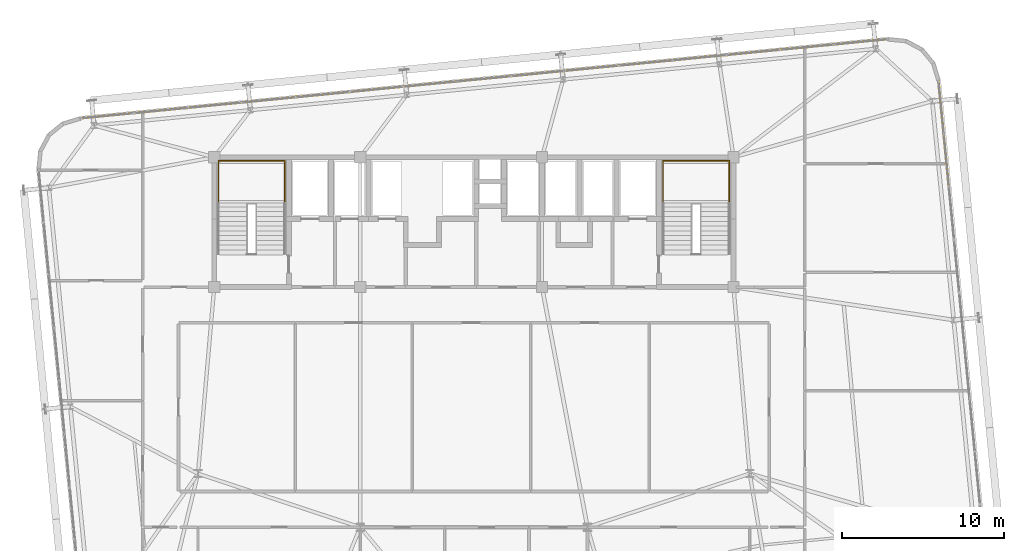
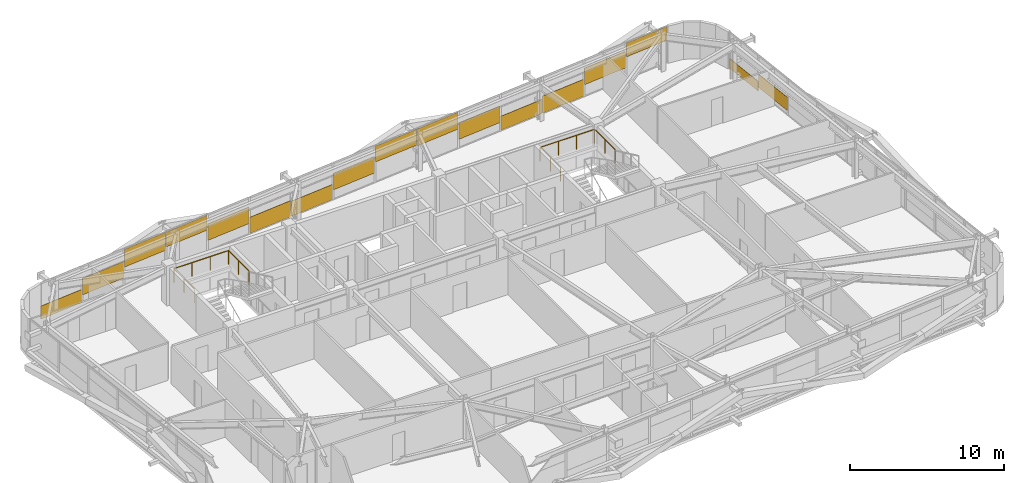
# One storey, part 52 of 52: 17 coverings, 2 railings.
"""IFC4 building model written with IfcOpenShell, lengths in metres."""

import ifcopenshell
import ifcopenshell.guid

model = None  # the IFC model being written
_history = None  # IfcOwnerHistory: only IFC2X3 demands one
_inside = {}  # id of a spatial element -> (the spatial element, [elements in it])
_under = {}  # id of a project, library or spatial element -> (it, [spatial elements below it])
_declared = {}  # id of a project -> (the project, [libraries it declares])
_typed = {}  # id of a type object -> (the type object, [elements of that type])
_made_of = {}  # id of a material, layer set ... -> (it, [elements and type objects made of it])


def new_model(schema):
    """Start an empty IFC model of exactly this schema.

    Asked for "IFC4X3", IfcOpenShell would pick the latest addendum, in which some entities
    have other attributes; the version numbers below select the first issue.
    IFC2X3 requires an IfcOwnerHistory on every rooted entity: one is made here for all.
    """
    global model, _history
    if schema == "IFC4X3":
        model = ifcopenshell.file(schema_version=(4, 3, 0, 0))
    else:
        model = ifcopenshell.file(schema=schema)
    _inside.clear()
    _under.clear()
    _declared.clear()
    _typed.clear()
    _made_of.clear()
    _history = None
    if model.schema == "IFC2X3":
        org = make("IfcOrganization", Name="unknown")
        user = make(
            "IfcPersonAndOrganization",
            ThePerson=make("IfcPerson", FamilyName="unknown"),
            TheOrganization=org,
        )
        app = make(
            "IfcApplication",
            ApplicationDeveloper=org,
            Version="unknown",
            ApplicationFullName="unknown",
            ApplicationIdentifier="unknown",
        )
        _history = make(
            "IfcOwnerHistory",
            OwningUser=user,
            OwningApplication=app,
            ChangeAction="ADDED",
            CreationDate=0,
        )
    return model


def make(cls, **values):
    """One entity of the class cls with the attributes given. An attribute that is None is left unset."""
    return model.create_entity(
        cls, **{name: value for name, value in values.items() if value is not None}
    )


def rooted(cls, **values):
    """An entity with a GlobalId (a new one), such as an element, a storey or a relation."""
    return make(cls, GlobalId=ifcopenshell.guid.new(), OwnerHistory=_history, **values)


def si_unit(unit_type, name, prefix=None):
    """IfcSIUnit, for example si_unit("LENGTHUNIT", "METRE", prefix="MILLI")."""
    return make("IfcSIUnit", UnitType=unit_type, Prefix=prefix, Name=name)


def assignment(units):
    """IfcUnitAssignment: the units of a project."""
    return None if units is None else make("IfcUnitAssignment", Units=units)


def point(xyz):
    """IfcCartesianPoint."""
    return None if xyz is None else make("IfcCartesianPoint", Coordinates=xyz)


def direction(xyz):
    """IfcDirection."""
    return None if xyz is None else make("IfcDirection", DirectionRatios=xyz)


def frame(location, z_axis=None, x_axis=None):
    """IfcAxis2Placement3D, a coordinate frame: its origin and axes. An axis left out is left unset."""
    return make(
        "IfcAxis2Placement3D",
        Location=point(location),
        Axis=direction(z_axis),
        RefDirection=direction(x_axis),
    )


def frame_2d(location, x_axis=None):
    """IfcAxis2Placement2D, a coordinate frame in the plane: its origin and x axis."""
    return make(
        "IfcAxis2Placement2D", Location=point(location), RefDirection=direction(x_axis)
    )


def origin():
    """The frame at (0, 0, 0) with its axes left unset."""
    return frame((0.0, 0.0, 0.0))


def origin_2d():
    """The frame at (0, 0) in the plane with its x axis left unset."""
    return frame_2d((0.0, 0.0))


def place(relative_to, where):
    """IfcLocalPlacement: puts the frame where relative to a parent placement (None: the world)."""
    return make(
        "IfcLocalPlacement", PlacementRelTo=relative_to, RelativePlacement=where
    )


def context(
    kind, dimensions, precision=None, world=None, true_north=None, identifier=None
):
    """IfcGeometricRepresentationContext, for example the 3D "Model" context."""
    return make(
        "IfcGeometricRepresentationContext",
        ContextIdentifier=identifier,
        ContextType=kind,
        CoordinateSpaceDimension=dimensions,
        Precision=precision,
        WorldCoordinateSystem=world,
        TrueNorth=true_north,
    )


def subcontext(parent, identifier, kind, view, scale=None):
    """IfcGeometricRepresentationSubContext, for example "Body" below "Model"."""
    return make(
        "IfcGeometricRepresentationSubContext",
        ContextIdentifier=identifier,
        ContextType=kind,
        ParentContext=parent,
        TargetScale=scale,
        TargetView=view,
    )


def project(units=None, contexts=None):
    """IfcProject with its units and contexts."""
    return rooted(
        "IfcProject",
        Name="project",
        RepresentationContexts=contexts,
        UnitsInContext=assignment(units),
    )


def spatial(cls, under=None, at=None, **own):
    """A site, building, storey or space (cls), placed at a placement, below another one or the project."""
    s = rooted(cls, ObjectPlacement=at, **own)
    if under is not None:
        _under.setdefault(under.id(), (under, []))[1].append(s)
    return s


def profile(cls, at=None, kind="AREA", **sizes):
    """A parametric profile (cls). Its sizes go by their IFC names, for example OverallWidth=200.0."""
    return make(cls, ProfileType=kind, Position=at, **sizes)


def rectangle(**sizes):
    """IfcRectangleProfileDef."""
    return profile("IfcRectangleProfileDef", **sizes)


def extrude(swept, where, along, depth):
    """IfcExtrudedAreaSolid: the profile swept, set in the frame where, extruded along a direction by depth."""
    return make(
        "IfcExtrudedAreaSolid",
        SweptArea=swept,
        Position=where,
        ExtrudedDirection=direction(along),
        Depth=depth,
    )


def shape(context_of_items, identifier, shape_type, items):
    """IfcShapeRepresentation: the items that make up one representation, for example the "Body"."""
    return make(
        "IfcShapeRepresentation",
        ContextOfItems=context_of_items,
        RepresentationIdentifier=identifier,
        RepresentationType=shape_type,
        Items=items,
    )


def source(mapping_origin, context_of_items, identifier, shape_type, items):
    """IfcRepresentationMap: a shape defined once, which mapped items show again and again."""
    return make(
        "IfcRepresentationMap",
        MappingOrigin=mapping_origin,
        MappedRepresentation=shape(context_of_items, identifier, shape_type, items),
    )


def transform(
    local_origin,
    x_axis=None,
    y_axis=None,
    z_axis=None,
    scale=None,
    scale2=None,
    scale3=None,
    uniform=True,
):
    """IfcCartesianTransformationOperator3D, or its non-uniform kind. x_axis, y_axis, z_axis: its Axis1, 2, 3."""
    if uniform:
        return make(
            "IfcCartesianTransformationOperator3D",
            Axis1=direction(x_axis),
            Axis2=direction(y_axis),
            LocalOrigin=point(local_origin),
            Scale=scale,
            Axis3=direction(z_axis),
        )
    return make(
        "IfcCartesianTransformationOperator3DnonUniform",
        Axis1=direction(x_axis),
        Axis2=direction(y_axis),
        LocalOrigin=point(local_origin),
        Scale=scale,
        Axis3=direction(z_axis),
        Scale2=scale2,
        Scale3=scale3,
    )


def mapped(mapping_source, mapping_target):
    """IfcMappedItem: shows the shape of a source again, moved by a transform."""
    return make(
        "IfcMappedItem", MappingSource=mapping_source, MappingTarget=mapping_target
    )


def material(Name=None, Category=None):
    """IfcMaterial."""
    return make("IfcMaterial", Name=Name, Category=Category)


def layer(
    of_material, thickness, ventilated=None, Name=None, Category=None, Priority=None
):
    """IfcMaterialLayer: one layer of a wall or slab, of a material (None: an air gap)."""
    return make(
        "IfcMaterialLayer",
        Material=of_material,
        LayerThickness=thickness,
        IsVentilated=ventilated,
        Name=Name,
        Category=Category,
        Priority=Priority,
    )


def layer_set(layers, Name=None):
    """IfcMaterialLayerSet."""
    return make("IfcMaterialLayerSet", MaterialLayers=layers, LayerSetName=Name)


def made_of(thing, what):
    """Note that an element or type object is made of a material, layer set ...; save() writes the relation."""
    if what is not None:
        _made_of.setdefault(what.id(), (what, []))[1].append(thing)
    return thing


def type_object(cls, material=None, **own):
    """A type object (cls), such as IfcWallType, which elements share."""
    return made_of(rooted(cls, **own), material)


def element(
    cls,
    number,
    at=None,
    inside=None,
    cuts=None,
    type_object=None,
    material=None,
    context=None,
    identifier="Body",
    shape_type=None,
    held_by="IfcProductDefinitionShape",
    body=None,
    shapes=None,
    **own,
):
    """One element of the class cls, such as IfcWall. Its Tag is "e" and its number.

    at: its placement. inside: the storey or other place that contains it. cuts: it is an
    opening in that element (IfcRelVoidsElement). A single representation is given by context,
    identifier, shape_type and body (its items); several are given by shapes. held_by: the class
    of the entity that holds the representations. save() writes the other relations.
    """
    e = rooted(cls, Tag="e%d" % number, ObjectPlacement=at, **own)
    if body is not None:
        shapes = [shape(context, identifier, shape_type, body)]
    if shapes is not None:
        e.Representation = make(held_by, Representations=shapes)
    if inside is not None:
        _inside.setdefault(inside.id(), (inside, []))[1].append(e)
    if cuts is not None:
        rooted(
            "IfcRelVoidsElement", RelatingBuildingElement=cuts, RelatedOpeningElement=e
        )
    if type_object is not None:
        _typed.setdefault(type_object.id(), (type_object, []))[1].append(e)
    return made_of(e, material)


def aggregate(whole, parts):
    """IfcRelAggregates: a whole, such as a stair, and the parts it consists of."""
    return rooted("IfcRelAggregates", RelatingObject=whole, RelatedObjects=parts)


def save(model, path):
    """Write the relations noted so far, then the file.

    IfcRelAggregates (storeys below a building ...), IfcRelContainedInSpatialStructure (elements
    in a storey), IfcRelDefinesByType, IfcRelAssociatesMaterial and IfcRelDeclares: one each for
    every whole, place, type object, material and project.
    """
    for whole, parts in _under.values():
        aggregate(whole, parts)
    for where, things in _inside.values():
        rooted(
            "IfcRelContainedInSpatialStructure",
            RelatedElements=things,
            RelatingStructure=where,
        )
    for kind, things in _typed.values():
        rooted("IfcRelDefinesByType", RelatedObjects=things, RelatingType=kind)
    for what, things in _made_of.values():
        rooted("IfcRelAssociatesMaterial", RelatedObjects=things, RelatingMaterial=what)
    for by, libraries in _declared.values():
        rooted("IfcRelDeclares", RelatingContext=by, RelatedDefinitions=libraries)
    model.write(path)


model = new_model("IFC4")

# Units and contexts
model_context = context("Model", 3, precision=1e-05, world=origin(), true_north=direction((0.0, 1.0)))
body_context = subcontext(model_context, "Body", "Model", "MODEL_VIEW")
ifc_project = project(units=[si_unit("LENGTHUNIT", "METRE"), si_unit("AREAUNIT", "SQUARE_METRE"), si_unit("VOLUMEUNIT", "CUBIC_METRE"), si_unit("PLANEANGLEUNIT", "RADIAN"), si_unit("MASSUNIT", "GRAM", prefix="KILO")], contexts=[model_context])

# Site, building, storey
site_placement = place(None, origin())
site = spatial("IfcSite", under=ifc_project, at=site_placement, CompositionType="ELEMENT")
building_placement = place(site_placement, origin())
building = spatial("IfcBuilding", under=site, at=building_placement, Name="Taldren Reach Tower", CompositionType="ELEMENT")
storey_placement = place(building_placement, frame((0.0, 0.0, 93.449951171875)))
storey = spatial("IfcBuildingStorey", under=building, at=storey_placement, Name="L28", CompositionType="ELEMENT", Elevation=93.449951171875)

# Railings
ifc_material_1 = material(Name="Steel Gr 350 (C350L0)", Category="steel")
ifc_layer_1 = layer(ifc_material_1, 0.050048828125)
ifc_layer_set_1 = layer_set([ifc_layer_1], Name="Steel Gr 350 (C350L0)")
railing_type = type_object("IfcRailingType", Name="RL-STAIR-GR", PredefinedType="GUARDRAIL", material=ifc_layer_set_1)
for number, where, name in (
    (1, (19.260009765625, 29.135009765625, 1.574951171875), "Stair half-landing perimeter guard ST1-L28"),
    (2, (46.659912109375, 29.135009765625, 1.574951171875), "Stair half-landing perimeter guard ST2-L28"),
):
    element("IfcRailing", number, at=place(storey_placement, frame(where)), inside=storey, type_object=railing_type, Name=name, PredefinedType="GUARDRAIL", context=body_context, shape_type="SweptSolid", body=[
        extrude(rectangle(XDim=0.047852, YDim=0.047852, at=origin_2d()), frame((0.0, 0.0, 1.09619140625), z_axis=(0.0, 1.0, 0.0), x_axis=(-1.0, 0.0, 0.0)), (0.0, 0.0, 1.0), 2.64501953125),
        extrude(rectangle(XDim=0.047852, YDim=0.047852, at=origin_2d()), frame((0.0, 2.64501953125, 1.09619140625), z_axis=(1.0, 0.0, 0.0), x_axis=(0.0, 1.0, 0.0)), (0.0, 0.0, 1.0), 4.080078125),
        extrude(rectangle(XDim=0.047852, YDim=0.047852, at=origin_2d()), frame((4.080078125, 2.64501953125, 1.09619140625), z_axis=(0.0, -1.0, 0.0), x_axis=(1.0, 0.0, 0.0)), (0.0, 0.0, 1.0), 2.64501953125),
        extrude(rectangle(XDim=0.041992, YDim=0.041992, at=origin_2d()), origin(), (0.0, 0.0, 1.0), 1.072021484375),
        extrude(rectangle(XDim=0.041992, YDim=0.041992, at=origin_2d()), frame((0.0, 1.322509765625, 0.0)), (0.0, 0.0, 1.0), 1.072021484375),
        extrude(rectangle(XDim=0.041992, YDim=0.041992, at=origin_2d()), frame((0.0, 2.64501953125, 0.0)), (0.0, 0.0, 1.0), 1.072021484375),
        extrude(rectangle(XDim=0.041992, YDim=0.041992, at=origin_2d()), frame((1.360107421875, 2.64501953125, 0.0)), (0.0, 0.0, 1.0), 1.072021484375),
        extrude(rectangle(XDim=0.041992, YDim=0.041992, at=origin_2d()), frame((2.719970703125, 2.64501953125, 0.0)), (0.0, 0.0, 1.0), 1.072021484375),
        extrude(rectangle(XDim=0.041992, YDim=0.041992, at=origin_2d()), frame((4.080078125, 2.64501953125, 0.0)), (0.0, 0.0, 1.0), 1.072021484375),
        extrude(rectangle(XDim=0.041992, YDim=0.041992, at=origin_2d()), frame((4.080078125, 1.322509765625, 0.0)), (0.0, 0.0, 1.0), 1.072021484375),
        extrude(rectangle(XDim=0.041992, YDim=0.041992, at=origin_2d()), frame((4.080078125, 0.0, 0.0)), (0.0, 0.0, 1.0), 1.072021484375),
    ])

# Coverings
ifc_material_2 = material(Name="Pale Champagne Fluoropolymer Aluminium Spandrel Cladding", Category="aluminium")
ifc_layer_2 = layer(ifc_material_2, 0.0439453125)
ifc_layer_set_2 = layer_set([ifc_layer_2], Name="Pale Champagne Fluoropolymer Aluminium Spandrel Cladding")
covering_type = type_object("IfcCoveringType", Name="CV-CLAD-044", PredefinedType="CLADDING", material=ifc_layer_set_2)
shared_shape_1 = source(origin(), body_context, "Body", "SweptSolid", [
    extrude(rectangle(XDim=3.23583984375, YDim=0.0439453125, at=origin_2d()), origin(), (0.0, 0.0, 1.0), 1.094970703125),
])
covering_1_placement = place(storey_placement, frame((58.83740234375, 39.101318359375, 1.7802734375), z_axis=(0.0, 0.0, 1.0), x_axis=(-0.995227390247, -0.097582999046, 0.0)))
element("IfcCovering", 3, at=covering_1_placement, inside=storey, type_object=covering_type, Name="Diagrid closure cladding strip CW-3 panel 1.1 1", PredefinedType="CLADDING", context=body_context, shape_type="MappedRepresentation", body=[
    mapped(shared_shape_1, transform((0.0, 0.0, 0.0), scale=1.0)),
])
shared_shape_2 = source(origin(), body_context, "Body", "SweptSolid", [
    extrude(rectangle(XDim=3.268310546875, YDim=0.0439453125, at=origin_2d()), origin(), (0.0, 0.0, 1.0), 1.3046875),
])
for number, where, z_axis, x_axis, name in (
    (4, (55.5361328125, 38.777587890625, 0.943359375), (0.0, 0.0, 1.0), (-0.995227390247, -0.097582999046, 0.0), "Diagrid closure cladding strip CW-3 panel 2.1 1"),
    (5, (45.583740234375, 37.8017578125, 0.702392578125), (0.0, 0.0, 1.0), (-0.995227390247, -0.097582999046, 0.0), "Diagrid closure cladding strip CW-3 panel 5.1 1"),
    (6, (35.631591796875, 36.825927734375, 0.78271484375), (0.0, 0.0, 1.0), (-0.995227390247, -0.097582999046, 0.0), "Diagrid closure cladding strip CW-3 panel 8.1 1"),
    (7, (25.67919921875, 35.85009765625, 0.863037109375), (0.0, 0.0, 1.0), (-0.995227390247, -0.097582999046, 0.0), "Diagrid closure cladding strip CW-3 panel 11.1 1"),
    (8, (15.72705078125, 34.874267578125, 0.6220703125), (0.0, 0.0, 1.0), (-0.995227390247, -0.097582999046, 0.0), "Diagrid closure cladding strip CW-3 panel 14.1 1"),
):
    element("IfcCovering", number, at=place(storey_placement, frame(where, z_axis=z_axis, x_axis=x_axis)), inside=storey, type_object=covering_type, Name=name, PredefinedType="CLADDING", context=body_context, shape_type="MappedRepresentation", body=[
        mapped(shared_shape_2, transform((0.0, 0.0, 0.0), scale=1.0)),
    ])
shared_shape_3 = source(origin(), body_context, "Body", "SweptSolid", [
    extrude(rectangle(XDim=3.268310546875, YDim=0.0439453125, at=origin_2d()), origin(), (0.0, 0.0, 1.0), 1.356201171875),
])
covering_2_placement = place(storey_placement, frame((52.21875, 38.452392578125, 0.05517578125), z_axis=(0.0, 0.0, 1.0), x_axis=(-0.995227390247, -0.097582999046, 0.0)))
element("IfcCovering", 9, at=covering_2_placement, inside=storey, type_object=covering_type, Name="Diagrid closure cladding strip CW-3 panel 3.1 1", PredefinedType="CLADDING", context=body_context, shape_type="MappedRepresentation", body=[
    mapped(shared_shape_3, transform((0.0, 0.0, 0.0), scale=1.0)),
])
shared_shape_4 = source(origin(), body_context, "Body", "SweptSolid", [
    extrude(rectangle(XDim=3.268310546875, YDim=0.0439453125, at=origin_2d()), origin(), (0.0, 0.0, 1.0), 1.115234375),
])
covering_3_placement = place(storey_placement, frame((48.9013671875, 38.126953125, 0.05517578125), z_axis=(0.0, 0.0, 1.0), x_axis=(-0.995227390247, -0.097582999046, 0.0)))
element("IfcCovering", 10, at=covering_3_placement, inside=storey, type_object=covering_type, Name="Diagrid closure cladding strip CW-3 panel 4.1 1", PredefinedType="CLADDING", context=body_context, shape_type="MappedRepresentation", body=[
    mapped(shared_shape_4, transform((0.0, 0.0, 0.0), scale=1.0)),
])
shared_shape_5 = source(origin(), body_context, "Body", "SweptSolid", [
    extrude(rectangle(XDim=3.268310546875, YDim=0.0439453125, at=origin_2d()), origin(), (0.0, 0.0, 1.0), 1.3359375),
])
covering_4_placement = place(storey_placement, frame((42.266357421875, 37.4765625, 1.5390625), z_axis=(0.0, 0.0, 1.0), x_axis=(-0.995227390247, -0.097582999046, 0.0)))
element("IfcCovering", 11, at=covering_4_placement, inside=storey, type_object=covering_type, Name="Diagrid closure cladding strip CW-3 panel 6.1 1", PredefinedType="CLADDING", context=body_context, shape_type="MappedRepresentation", body=[
    mapped(shared_shape_5, transform((0.0, 0.0, 0.0), scale=1.0)),
])
shared_shape_6 = source(origin(), body_context, "Body", "SweptSolid", [
    extrude(rectangle(XDim=3.268310546875, YDim=0.0439453125, at=origin_2d()), origin(), (0.0, 0.0, 1.0), 1.255615234375),
])
covering_5_placement = place(storey_placement, frame((38.948974609375, 37.151123046875, 1.61962890625), z_axis=(0.0, 0.0, 1.0), x_axis=(-0.995227390247, -0.097582999046, 0.0)))
element("IfcCovering", 12, at=covering_5_placement, inside=storey, type_object=covering_type, Name="Diagrid closure cladding strip CW-3 panel 7.1 1", PredefinedType="CLADDING", context=body_context, shape_type="MappedRepresentation", body=[
    mapped(shared_shape_6, transform((0.0, 0.0, 0.0), scale=1.0)),
])
shared_shape_7 = source(origin(), body_context, "Body", "SweptSolid", [
    extrude(rectangle(XDim=3.268310546875, YDim=0.0439453125, at=origin_2d()), origin(), (0.0, 0.0, 1.0), 1.195556640625),
])
covering_6_placement = place(storey_placement, frame((32.314208984375, 36.500732421875, 0.05517578125), z_axis=(0.0, 0.0, 1.0), x_axis=(-0.995227390247, -0.097582999046, 0.0)))
element("IfcCovering", 13, at=covering_6_placement, inside=storey, type_object=covering_type, Name="Diagrid closure cladding strip CW-3 panel 9.1 1", PredefinedType="CLADDING", context=body_context, shape_type="MappedRepresentation", body=[
    mapped(shared_shape_7, transform((0.0, 0.0, 0.0), scale=1.0)),
])
shared_shape_8 = source(origin(), body_context, "Body", "SweptSolid", [
    extrude(rectangle(XDim=3.268310546875, YDim=0.0439453125, at=origin_2d()), origin(), (0.0, 0.0, 1.0), 1.27587890625),
])
covering_7_placement = place(storey_placement, frame((28.996826171875, 36.17529296875, 0.05517578125), z_axis=(0.0, 0.0, 1.0), x_axis=(-0.995227390247, -0.097582999046, 0.0)))
element("IfcCovering", 14, at=covering_7_placement, inside=storey, type_object=covering_type, Name="Diagrid closure cladding strip CW-3 panel 10.1 1", PredefinedType="CLADDING", context=body_context, shape_type="MappedRepresentation", body=[
    mapped(shared_shape_8, transform((0.0, 0.0, 0.0), scale=1.0)),
])
shared_shape_9 = source(origin(), body_context, "Body", "SweptSolid", [
    extrude(rectangle(XDim=3.268310546875, YDim=0.0439453125, at=origin_2d()), origin(), (0.0, 0.0, 1.0), 1.17529296875),
])
covering_8_placement = place(storey_placement, frame((22.36181640625, 35.52490234375, 1.69970703125), z_axis=(0.0, 0.0, 1.0), x_axis=(-0.995227390247, -0.097582999046, 0.0)))
element("IfcCovering", 15, at=covering_8_placement, inside=storey, type_object=covering_type, Name="Diagrid closure cladding strip CW-3 panel 12.1 1", PredefinedType="CLADDING", context=body_context, shape_type="MappedRepresentation", body=[
    mapped(shared_shape_9, transform((0.0, 0.0, 0.0), scale=1.0)),
])
shared_shape_10 = source(origin(), body_context, "Body", "SweptSolid", [
    extrude(rectangle(XDim=3.268310546875, YDim=0.0439453125, at=origin_2d()), origin(), (0.0, 0.0, 1.0), 1.416259765625),
])
covering_9_placement = place(storey_placement, frame((19.04443359375, 35.199462890625, 1.458984375), z_axis=(0.0, 0.0, 1.0), x_axis=(-0.995227390247, -0.097582999046, 0.0)))
element("IfcCovering", 16, at=covering_9_placement, inside=storey, type_object=covering_type, Name="Diagrid closure cladding strip CW-3 panel 13.1 1", PredefinedType="CLADDING", context=body_context, shape_type="MappedRepresentation", body=[
    mapped(shared_shape_10, transform((0.0, 0.0, 0.0), scale=1.0)),
])
shared_shape_11 = source(origin(), body_context, "Body", "SweptSolid", [
    extrude(rectangle(XDim=3.23583984375, YDim=0.0439453125, at=origin_2d()), origin(), (0.0, 0.0, 1.0), 1.034912109375),
])
covering_10_placement = place(storey_placement, frame((12.42578125, 34.550537109375, 0.05517578125), z_axis=(0.0, 0.0, 1.0), x_axis=(-0.995227390247, -0.097582999046, 0.0)))
element("IfcCovering", 17, at=covering_10_placement, inside=storey, type_object=covering_type, Name="Diagrid closure cladding strip CW-3 panel 15.1 1", PredefinedType="CLADDING", context=body_context, shape_type="MappedRepresentation", body=[
    mapped(shared_shape_11, transform((0.0, 0.0, 0.0), scale=1.0)),
])
shared_shape_12 = source(origin(), body_context, "Body", "SweptSolid", [
    extrude(rectangle(XDim=3.212890625, YDim=0.0439453125, at=origin_2d()), origin(), (0.0, 0.0, 1.0), 1.053466796875),
])
covering_11_placement = place(storey_placement, frame((64.117431640625, 31.80517578125, 0.35986328125), z_axis=(0.0, 0.0, 1.0), x_axis=(-0.09758274098, 0.99522741555, 0.0)))
element("IfcCovering", 18, at=covering_11_placement, inside=storey, type_object=covering_type, Name="Diagrid closure cladding strip CW-3 panel 8.1 1", PredefinedType="CLADDING", context=body_context, shape_type="MappedRepresentation", body=[
    mapped(shared_shape_12, transform((0.0, 0.0, 0.0), scale=1.0)),
])
shared_shape_13 = source(origin(), body_context, "Body", "SweptSolid", [
    extrude(rectangle(XDim=3.18017578125, YDim=0.0439453125, at=origin_2d()), origin(), (0.0, 0.0, 1.0), 0.7705078125),
])
covering_12_placement = place(storey_placement, frame((63.79931640625, 35.051025390625, 0.054931640625), z_axis=(0.0, 0.0, 1.0), x_axis=(-0.09758274098, 0.99522741555, 0.0)))
element("IfcCovering", 19, at=covering_12_placement, inside=storey, type_object=covering_type, Name="Diagrid closure cladding strip CW-3 panel 9.1 1", PredefinedType="CLADDING", context=body_context, shape_type="MappedRepresentation", body=[
    mapped(shared_shape_13, transform((0.0, 0.0, 0.0), scale=1.0)),
])

save(model, "model.ifc")
